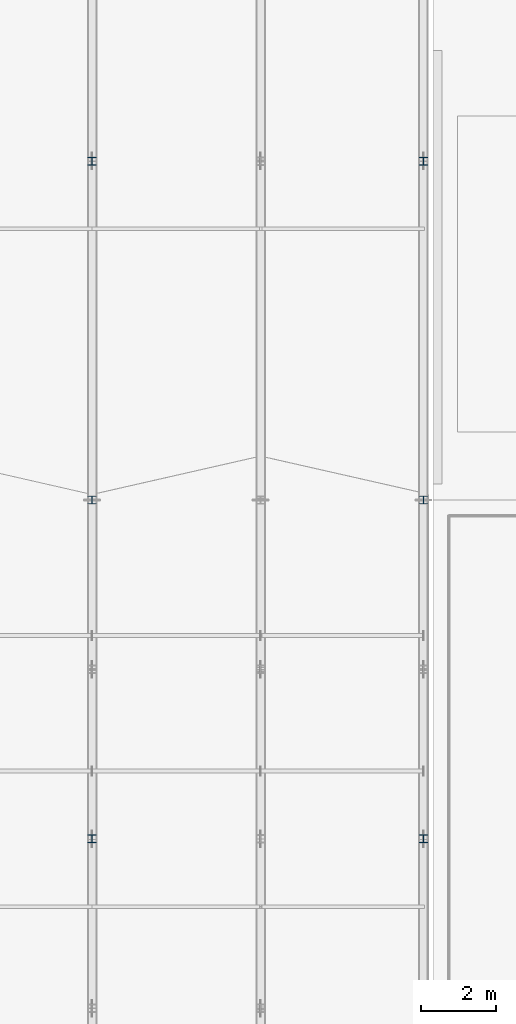
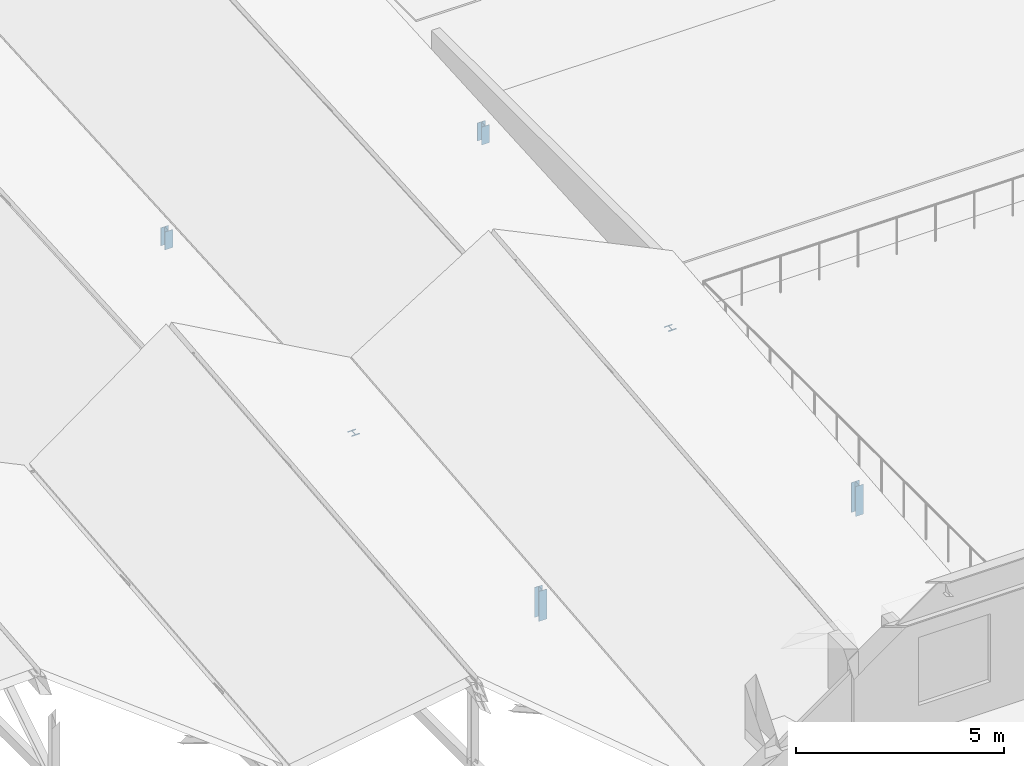
# One storey, part 99 of 142: 6 members.
"""IFC4 building model written with IfcOpenShell, lengths in metres."""

from ifc_helpers import new_model, si_unit, direction, frame, origin, origin_2d, place, context, subcontext, project, spatial, i_section, extrude, material, material_profile, profile_set, type_object, element, save


model = new_model("IFC4")

# Units and contexts
model_context = context("Model", 3, precision=1e-05, world=origin(), true_north=direction((0.0, 1.0)))
body_context = subcontext(model_context, "Body", "Model", "MODEL_VIEW")
ifc_project = project(units=[si_unit("LENGTHUNIT", "METRE"), si_unit("AREAUNIT", "SQUARE_METRE"), si_unit("VOLUMEUNIT", "CUBIC_METRE"), si_unit("PLANEANGLEUNIT", "RADIAN"), si_unit("MASSUNIT", "GRAM", prefix="KILO")], contexts=[model_context])

# Site, building, storey
site_placement = place(None, origin())
site = spatial("IfcSite", under=ifc_project, at=site_placement, CompositionType="ELEMENT")
building_placement = place(site_placement, origin())
building = spatial("IfcBuilding", under=site, at=building_placement, Name="Montelvaro Courts of Justice", CompositionType="ELEMENT")
storey_placement = place(building_placement, frame((0.0, 0.0, 14.39990234375)))
storey = spatial("IfcBuildingStorey", under=building, at=storey_placement, Name="L03", CompositionType="ELEMENT", Elevation=14.39990234375)

# Members
ifc_material = material(Name="Steel S355", Category="steel")
ifc_material_profile = material_profile(ifc_material, i_section(OverallWidth=0.219970703125, OverallDepth=0.2099609375, WebThickness=0.007080078125, FlangeThickness=0.010986328125, at=origin_2d()), Name="HEA 220")
ifc_profile_set = profile_set([ifc_material_profile], Name="Steel S355")
member_type = type_object("IfcMemberType", Name="Mem_HEA220_Post", PredefinedType="POST", material=ifc_profile_set)
member_1_placement = place(storey_placement, frame((90.0, 42.0, -0.2998046875), z_axis=(0.0, 0.0, -1.0), x_axis=(1.0, 0.0, 0.0)))
element("IfcMember", 1, at=member_1_placement, inside=storey, type_object=member_type, Name="Roof Truss Post MP-03 ROOF-PASSAGE-VTR05-V0", PredefinedType="POST", context=body_context, shape_type="SweptSolid", body=[
    extrude(i_section(OverallWidth=0.219970703125, OverallDepth=0.2099609375, WebThickness=0.007080078125, FlangeThickness=0.010986328125, at=origin_2d()), origin(), (0.0, 0.0, 1.0), 0.02001953125),
])
member_2_placement = place(storey_placement, frame((90.0, 51.0, -0.2998046875), z_axis=(0.0, 0.0, 1.0), x_axis=(1.0, 0.0, 0.0)))
element("IfcMember", 2, at=member_2_placement, inside=storey, type_object=member_type, Name="Roof Truss Post MP-03 ROOF-PASSAGE-VTR05-V1", PredefinedType="POST", context=body_context, shape_type="SweptSolid", body=[
    extrude(i_section(OverallWidth=0.219970703125, OverallDepth=0.2099609375, WebThickness=0.007080078125, FlangeThickness=0.010986328125, at=origin_2d()), origin(), (0.0, 0.0, 1.0), 0.52978515625),
])
member_3_placement = place(storey_placement, frame((98.800048828125, 42.0, -0.2998046875), z_axis=(0.0, 0.0, -1.0), x_axis=(1.0, 0.0, 0.0)))
element("IfcMember", 3, at=member_3_placement, inside=storey, type_object=member_type, Name="Roof Truss Post MP-03 ROOF-PASSAGE-VTR06-V0", PredefinedType="POST", context=body_context, shape_type="SweptSolid", body=[
    extrude(i_section(OverallWidth=0.219970703125, OverallDepth=0.2099609375, WebThickness=0.007080078125, FlangeThickness=0.010986328125, at=origin_2d()), origin(), (0.0, 0.0, 1.0), 0.02001953125),
])
member_4_placement = place(storey_placement, frame((98.800048828125, 51.0, -0.2998046875), z_axis=(0.0, 0.0, 1.0), x_axis=(1.0, 0.0, 0.0)))
element("IfcMember", 4, at=member_4_placement, inside=storey, type_object=member_type, Name="Roof Truss Post MP-03 ROOF-PASSAGE-VTR06-V1", PredefinedType="POST", context=body_context, shape_type="SweptSolid", body=[
    extrude(i_section(OverallWidth=0.219970703125, OverallDepth=0.2099609375, WebThickness=0.007080078125, FlangeThickness=0.010986328125, at=origin_2d()), origin(), (0.0, 0.0, 1.0), 0.52978515625),
])
for number, where, z_axis, x_axis, name in (
    (5, (90.0, 33.0, -0.2998046875), (0.0, 0.0, 1.0), (1.0, 0.0, 0.0), "Roof Truss Post MP-03 ROOF-PASSAGE-S-VTR03-V2"),
    (6, (98.800048828125, 33.0, -0.2998046875), (0.0, 0.0, 1.0), (1.0, 0.0, 0.0), "Roof Truss Post MP-03 ROOF-PASSAGE-S-VTR04-V2"),
):
    element("IfcMember", number, at=place(storey_placement, frame(where, z_axis=z_axis, x_axis=x_axis)), inside=storey, type_object=member_type, Name=name, PredefinedType="POST", context=body_context, shape_type="SweptSolid", body=[
        extrude(i_section(OverallWidth=0.219970703125, OverallDepth=0.2099609375, WebThickness=0.007080078125, FlangeThickness=0.010986328125, at=origin_2d()), origin(), (0.0, 0.0, 1.0), 0.8798828125),
    ])

save(model, "model.ifc")
